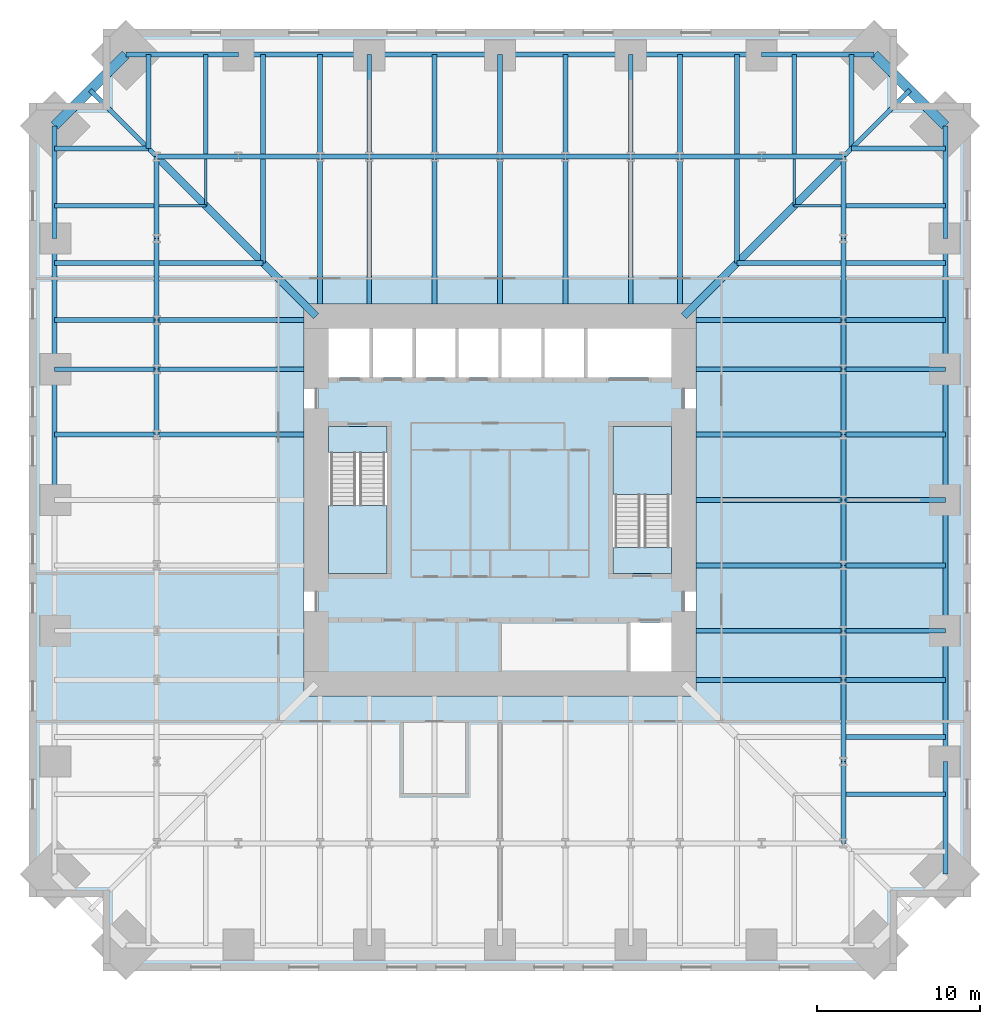
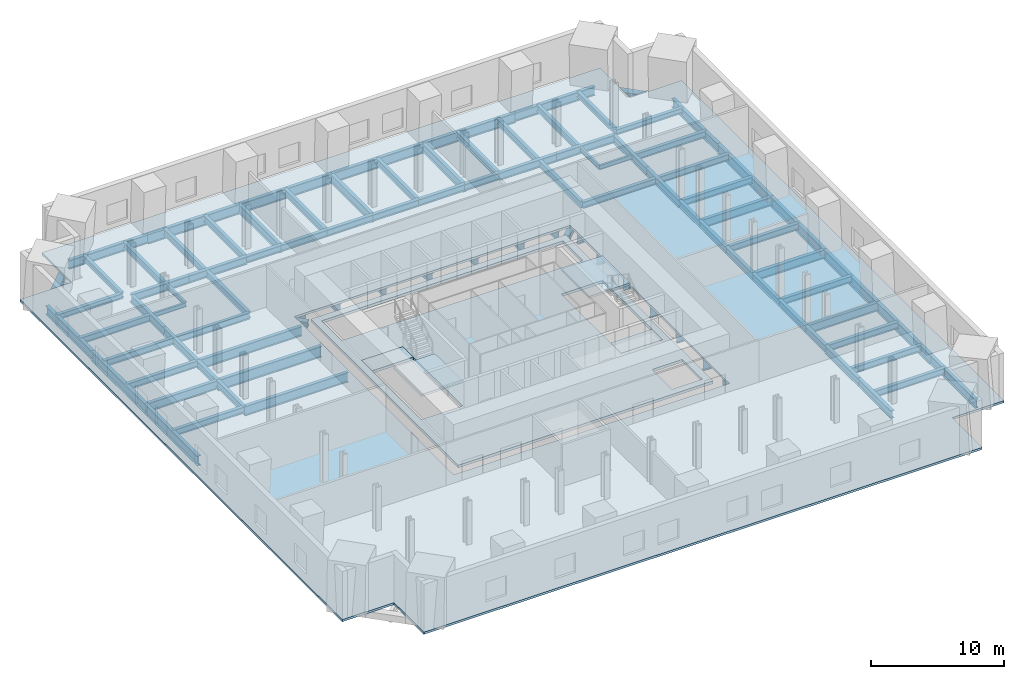
# One storey, part 2 of 8: 101 beams, 6 slabs, 2 elements without a shape of their own.
"""IFC4 building model written with IfcOpenShell, lengths in metres."""

from ifc_helpers import new_model, si_unit, direction, frame, origin, origin_2d, place, context, subcontext, project, spatial, polyline, hollow_rectangle, i_section, outline, extrude, material, layer, layer_set, material_profile, profile_set, type_object, element, aggregate, save


model = new_model("IFC4")

# Units and contexts
model_context = context("Model", 3, precision=1e-05, world=origin(), true_north=direction((0.0, 1.0)))
body_context = subcontext(model_context, "Body", "Model", "MODEL_VIEW")
ifc_project = project(units=[si_unit("LENGTHUNIT", "METRE"), si_unit("AREAUNIT", "SQUARE_METRE"), si_unit("VOLUMEUNIT", "CUBIC_METRE"), si_unit("PLANEANGLEUNIT", "RADIAN"), si_unit("MASSUNIT", "GRAM", prefix="KILO")], contexts=[model_context])

# Site, building, storey
site_placement = place(None, origin())
site = spatial("IfcSite", under=ifc_project, at=site_placement, CompositionType="ELEMENT")
building_placement = place(site_placement, origin())
building = spatial("IfcBuilding", under=site, at=building_placement, Name="Peilmerk Tower", CompositionType="ELEMENT")
storey_placement = place(building_placement, frame((0.0, 0.0, 90.60009765625)))
storey = spatial("IfcBuildingStorey", under=building, at=storey_placement, Name="L17", CompositionType="ELEMENT", Elevation=90.60009765625)

# Beams
ifc_material_1 = material(Name="Steel S355", Category="steel")
ifc_material_profile_1 = material_profile(ifc_material_1, i_section(OverallWidth=0.302978515625, OverallDepth=0.81396484375, WebThickness=0.02099609375, FlangeThickness=0.0400390625, at=origin_2d()), Name="HEM 800")
ifc_profile_set_1 = profile_set([ifc_material_profile_1], Name="Steel S355")
beam_type_1 = type_object("IfcBeamType", Name="B15 HEM 800 edge beam", PredefinedType="SPANDREL", material=ifc_profile_set_1)
for number, where, z_axis, x_axis, name in (
    (1, (22.8935546875, 27.24365234375, -0.607177734375), (-1.0, 0.0, 0.0), (0.0, -1.0, 0.0), "Edge beam L17"),
    (2, (-16.0, 27.24365234375, -0.607177734375), (-1.0, 0.0, 0.0), (0.0, -1.0, 0.0), "Edge beam L17"),
    (3, (27.24365234375, -22.8935546875, -0.607177734375), (0.0, 1.0, 0.0), (-1.0, 0.0, 0.0), "Edge beam L17"),
    (4, (27.24365234375, 16.0, -0.607177734375), (0.0, 1.0, 0.0), (-1.0, 0.0, 0.0), "Edge beam L17"),
    (5, (-27.24365234375, 22.8935546875, -0.607177734375), (0.0, -1.0, 0.0), (1.0, 0.0, 0.0), "Edge beam L17"),
):
    element("IfcBeam", number, at=place(storey_placement, frame(where, z_axis=z_axis, x_axis=x_axis)), inside=storey, type_object=beam_type_1, Name=name, PredefinedType="SPANDREL", context=body_context, shape_type="SweptSolid", body=[
        extrude(i_section(OverallWidth=0.302978515625, OverallDepth=0.81396484375, WebThickness=0.02099609375, FlangeThickness=0.0400390625, at=origin_2d()), origin(), (0.0, 0.0, 1.0), 6.8935546875),
    ])
ifc_material_profile_2 = material_profile(ifc_material_1, i_section(OverallWidth=0.303955078125, OverallDepth=0.716064453125, WebThickness=0.02099609375, FlangeThickness=0.0400390625, at=origin_2d()), Name="HEM 700")
ifc_profile_set_2 = profile_set([ifc_material_profile_2], Name="Steel S355")
beam_type_2 = type_object("IfcBeamType", Name="B19 HEM 700 ring girder", PredefinedType="BEAM", material=ifc_profile_set_2)
for number, where, z_axis, x_axis, name in (
    (6, (21.0, 21.0, -0.55810546875), (-1.0, 0.0, 0.0), (0.0, -1.0, 0.0), "Ring girder L17"),
    (7, (16.0, 21.0, -0.55810546875), (-1.0, 0.0, 0.0), (0.0, -1.0, 0.0), "Ring girder L17"),
    (8, (-11.0, 21.0, -0.55810546875), (-1.0, 0.0, 0.0), (0.0, -1.0, 0.0), "Ring girder L17"),
    (9, (-16.0, 21.0, -0.55810546875), (-1.0, 0.0, 0.0), (0.0, -1.0, 0.0), "Ring girder L17"),
    (10, (21.0, -21.0, -0.55810546875), (0.0, 1.0, 0.0), (-1.0, 0.0, 0.0), "Ring girder L17"),
    (11, (21.0, -16.0, -0.55810546875), (0.0, 1.0, 0.0), (-1.0, 0.0, 0.0), "Ring girder L17"),
    (12, (21.0, 11.0, -0.55810546875), (0.0, 1.0, 0.0), (-1.0, 0.0, 0.0), "Ring girder L17"),
    (13, (21.0, 16.0, -0.55810546875), (0.0, 1.0, 0.0), (-1.0, 0.0, 0.0), "Ring girder L17"),
    (14, (-21.0, 21.0, -0.55810546875), (0.0, -1.0, 0.0), (1.0, 0.0, 0.0), "Ring girder L17"),
    (15, (-21.0, 16.0, -0.55810546875), (0.0, -1.0, 0.0), (1.0, 0.0, 0.0), "Ring girder L17"),
):
    element("IfcBeam", number, at=place(storey_placement, frame(where, z_axis=z_axis, x_axis=x_axis)), inside=storey, type_object=beam_type_2, Name=name, PredefinedType="BEAM", context=body_context, shape_type="SweptSolid", body=[
        extrude(i_section(OverallWidth=0.303955078125, OverallDepth=0.716064453125, WebThickness=0.02099609375, FlangeThickness=0.0400390625, at=origin_2d()), origin(), (0.0, 0.0, 1.0), 5.0),
    ])
ifc_material_profile_3 = material_profile(ifc_material_1, i_section(OverallWidth=0.302001953125, OverallDepth=0.909912109375, WebThickness=0.02099609375, FlangeThickness=0.0400390625, at=origin_2d()), Name="HEM 900")
ifc_profile_set_3 = profile_set([ifc_material_profile_3], Name="Steel S355")
beam_type_3 = type_object("IfcBeamType", Name="B2 HEM 900 edge beam", PredefinedType="SPANDREL", material=ifc_profile_set_3)
for number, where, z_axis, x_axis, name in (
    (16, (16.0, 27.24365234375, -0.655029296875), (-1.0, 0.0, 0.0), (0.0, -1.0, 0.0), "Edge beam L17"),
    (17, (8.0, 27.24365234375, -0.655029296875), (-1.0, 0.0, 0.0), (0.0, -1.0, 0.0), "Edge beam L17"),
    (18, (0.0, 27.24365234375, -0.655029296875), (-1.0, 0.0, 0.0), (0.0, -1.0, 0.0), "Edge beam L17"),
    (19, (-8.0, 27.24365234375, -0.655029296875), (-1.0, 0.0, 0.0), (0.0, -1.0, 0.0), "Edge beam L17"),
    (20, (27.24365234375, -16.0, -0.655029296875), (0.0, 1.0, 0.0), (-1.0, 0.0, 0.0), "Edge beam L17"),
    (21, (27.24365234375, -8.0, -0.655029296875), (0.0, 1.0, 0.0), (-1.0, 0.0, 0.0), "Edge beam L17"),
    (22, (27.24365234375, 0.0, -0.655029296875), (0.0, 1.0, 0.0), (-1.0, 0.0, 0.0), "Edge beam L17"),
    (23, (27.24365234375, 8.0, -0.655029296875), (0.0, 1.0, 0.0), (-1.0, 0.0, 0.0), "Edge beam L17"),
    (24, (-27.24365234375, 16.0, -0.655029296875), (0.0, -1.0, 0.0), (1.0, 0.0, 0.0), "Edge beam L17"),
    (25, (-27.24365234375, 8.0, -0.655029296875), (0.0, -1.0, 0.0), (1.0, 0.0, 0.0), "Edge beam L17"),
):
    element("IfcBeam", number, at=place(storey_placement, frame(where, z_axis=z_axis, x_axis=x_axis)), inside=storey, type_object=beam_type_3, Name=name, PredefinedType="SPANDREL", context=body_context, shape_type="SweptSolid", body=[
        extrude(i_section(OverallWidth=0.302001953125, OverallDepth=0.909912109375, WebThickness=0.02099609375, FlangeThickness=0.0400390625, at=origin_2d()), origin(), (0.0, 0.0, 1.0), 8.0),
    ])
ifc_material_2 = material(Name="Steel S460", Category="steel")
ifc_material_profile_4 = material_profile(ifc_material_2, hollow_rectangle(XDim=0.60009765625, YDim=0.60009765625, WallThickness=0.06005859375, at=origin_2d()), Name="BOX 600x600x60")
ifc_profile_set_4 = profile_set([ifc_material_profile_4], Name="Steel S460")
beam_type_4 = type_object("IfcBeamType", Name="B20 BOX 600x600x60 notch beam", PredefinedType="SPANDREL", material=ifc_profile_set_4)
for number, where, z_axis, x_axis, name in (
    (26, (22.8935546875, 27.24365234375, -0.5), (0.707106781187, -0.707106781187, 0.0), (0.707106781187, 0.707106781187, 0.0), "Notch beam L17"),
    (27, (-27.24365234375, 22.8935546875, -0.5), (0.707106781187, 0.707106781187, 0.0), (-0.707106781187, 0.707106781187, 0.0), "Notch beam L17"),
):
    element("IfcBeam", number, at=place(storey_placement, frame(where, z_axis=z_axis, x_axis=x_axis)), inside=storey, type_object=beam_type_4, Name=name, PredefinedType="SPANDREL", context=body_context, shape_type="SweptSolid", body=[
        extrude(hollow_rectangle(XDim=0.60009765625, YDim=0.60009765625, WallThickness=0.06005859375, at=origin_2d()), origin(), (0.0, 0.0, 1.0), 6.15185546875),
    ])
ifc_material_profile_5 = material_profile(ifc_material_1, i_section(OverallWidth=0.302001953125, OverallDepth=1.008056640625, WebThickness=0.02099609375, FlangeThickness=0.0400390625, at=origin_2d()), Name="HEM 1000")
ifc_profile_set_5 = profile_set([ifc_material_profile_5], Name="Steel S355")
beam_type_5 = type_object("IfcBeamType", Name="B24 HEM 1000 floor girder", PredefinedType="BEAM", material=ifc_profile_set_5)
for number, where, z_axis, x_axis, name in (
    (28, (8.0, 12.0, -0.7041015625), (0.0, 1.0, 0.0), (-1.0, 0.0, 0.0), "Floor girder L17"),
    (29, (0.0, 12.0, -0.7041015625), (0.0, 1.0, 0.0), (-1.0, 0.0, 0.0), "Floor girder L17"),
    (30, (-8.0, 12.0, -0.7041015625), (0.0, 1.0, 0.0), (-1.0, 0.0, 0.0), "Floor girder L17"),
    (31, (12.0, -8.0, -0.7041015625), (1.0, 0.0, 0.0), (0.0, 1.0, 0.0), "Floor girder L17"),
    (32, (12.0, 0.0, -0.7041015625), (1.0, 0.0, 0.0), (0.0, 1.0, 0.0), "Floor girder L17"),
    (33, (12.0, 8.0, -0.7041015625), (1.0, 0.0, 0.0), (0.0, 1.0, 0.0), "Floor girder L17"),
    (34, (-12.0, 8.0, -0.7041015625), (-1.0, 0.0, 0.0), (0.0, -1.0, 0.0), "Floor girder L17"),
):
    element("IfcBeam", number, at=place(storey_placement, frame(where, z_axis=z_axis, x_axis=x_axis)), inside=storey, type_object=beam_type_5, Name=name, PredefinedType="BEAM", context=body_context, shape_type="SweptSolid", body=[
        extrude(i_section(OverallWidth=0.302001953125, OverallDepth=1.008056640625, WebThickness=0.02099609375, FlangeThickness=0.0400390625, at=origin_2d()), origin(), (0.0, 0.0, 1.0), 9.0),
    ])
ifc_material_profile_6 = material_profile(ifc_material_1, i_section(OverallWidth=0.300048828125, OverallDepth=0.590087890625, WebThickness=0.012939453125, FlangeThickness=0.02490234375, at=origin_2d()), Name="HEA 600")
ifc_profile_set_6 = profile_set([ifc_material_profile_6], Name="Steel S355")
beam_type_6 = type_object("IfcBeamType", Name="B27 HEA 600 floor beam", PredefinedType="BEAM", material=ifc_profile_set_6)
for number, where, z_axis, x_axis, name in (
    (35, (11.0, 21.0, -0.4951171875), (0.0, 1.0, 0.0), (-1.0, 0.0, 0.0), "Floor beam L17"),
    (36, (4.0, 21.0, -0.4951171875), (0.0, 1.0, 0.0), (-1.0, 0.0, 0.0), "Floor beam L17"),
    (37, (-4.0, 21.0, -0.4951171875), (0.0, 1.0, 0.0), (-1.0, 0.0, 0.0), "Floor beam L17"),
    (38, (-11.0, 21.0, -0.4951171875), (0.0, 1.0, 0.0), (-1.0, 0.0, 0.0), "Floor beam L17"),
    (39, (21.0, -11.0, -0.4951171875), (1.0, 0.0, 0.0), (0.0, 1.0, 0.0), "Floor beam L17"),
    (40, (21.0, -4.0, -0.4951171875), (1.0, 0.0, 0.0), (0.0, 1.0, 0.0), "Floor beam L17"),
    (41, (21.0, 4.0, -0.4951171875), (1.0, 0.0, 0.0), (0.0, 1.0, 0.0), "Floor beam L17"),
    (42, (21.0, 11.0, -0.4951171875), (1.0, 0.0, 0.0), (0.0, 1.0, 0.0), "Floor beam L17"),
    (43, (-21.0, 11.0, -0.4951171875), (-1.0, 0.0, 0.0), (0.0, -1.0, 0.0), "Floor beam L17"),
    (44, (-21.0, 4.0, -0.4951171875), (-1.0, 0.0, 0.0), (0.0, -1.0, 0.0), "Floor beam L17"),
):
    element("IfcBeam", number, at=place(storey_placement, frame(where, z_axis=z_axis, x_axis=x_axis)), inside=storey, type_object=beam_type_6, Name=name, PredefinedType="BEAM", context=body_context, shape_type="SweptSolid", body=[
        extrude(i_section(OverallWidth=0.300048828125, OverallDepth=0.590087890625, WebThickness=0.012939453125, FlangeThickness=0.02490234375, at=origin_2d()), origin(), (0.0, 0.0, 1.0), 6.24365234375),
    ])
beam_1_placement = place(storey_placement, frame((14.5, 14.5, -0.4951171875), z_axis=(0.0, 1.0, 0.0), x_axis=(-1.0, 0.0, 0.0)))
element("IfcBeam", 45, at=beam_1_placement, inside=storey, type_object=beam_type_6, Name="Floor beam L17", PredefinedType="BEAM", context=body_context, shape_type="SweptSolid", body=[
    extrude(i_section(OverallWidth=0.300048828125, OverallDepth=0.590087890625, WebThickness=0.012939453125, FlangeThickness=0.02490234375, at=origin_2d()), origin(), (0.0, 0.0, 1.0), 6.347900390625),
])
beam_2_placement = place(storey_placement, frame((14.5, 21.152099609375, -0.4951171875), z_axis=(0.0, 1.0, 0.0), x_axis=(-1.0, 0.0, 0.0)))
element("IfcBeam", 46, at=beam_2_placement, inside=storey, type_object=beam_type_6, Name="Floor beam L17", PredefinedType="BEAM", context=body_context, shape_type="SweptSolid", body=[
    extrude(i_section(OverallWidth=0.300048828125, OverallDepth=0.590087890625, WebThickness=0.012939453125, FlangeThickness=0.02490234375, at=origin_2d()), origin(), (0.0, 0.0, 1.0), 6.091552734375),
])
beam_3_placement = place(storey_placement, frame((14.5, 14.5, -0.4951171875), z_axis=(1.0, 0.0, 0.0), x_axis=(0.0, 1.0, 0.0)))
element("IfcBeam", 47, at=beam_3_placement, inside=storey, type_object=beam_type_6, Name="Floor beam L17", PredefinedType="BEAM", context=body_context, shape_type="SweptSolid", body=[
    extrude(i_section(OverallWidth=0.300048828125, OverallDepth=0.590087890625, WebThickness=0.012939453125, FlangeThickness=0.02490234375, at=origin_2d()), origin(), (0.0, 0.0, 1.0), 6.347900390625),
])
for number, where, z_axis, x_axis, name in (
    (48, (21.152099609375, 14.5, -0.4951171875), (1.0, 0.0, 0.0), (0.0, 1.0, 0.0), "Floor beam L17"),
    (49, (18.0, 21.152099609375, -0.4951171875), (0.0, 1.0, 0.0), (-1.0, 0.0, 0.0), "Floor beam L17"),
    (50, (21.152099609375, 18.0, -0.4951171875), (1.0, 0.0, 0.0), (0.0, 1.0, 0.0), "Floor beam L17"),
    (51, (21.152099609375, -14.5, -0.4951171875), (1.0, 0.0, 0.0), (0.0, 1.0, 0.0), "Floor beam L17"),
    (52, (21.152099609375, -18.0, -0.4951171875), (1.0, 0.0, 0.0), (0.0, 1.0, 0.0), "Floor beam L17"),
):
    element("IfcBeam", number, at=place(storey_placement, frame(where, z_axis=z_axis, x_axis=x_axis)), inside=storey, type_object=beam_type_6, Name=name, PredefinedType="BEAM", context=body_context, shape_type="SweptSolid", body=[
        extrude(i_section(OverallWidth=0.300048828125, OverallDepth=0.590087890625, WebThickness=0.012939453125, FlangeThickness=0.02490234375, at=origin_2d()), origin(), (0.0, 0.0, 1.0), 6.091552734375),
    ])
beam_4_placement = place(storey_placement, frame((-14.5, 14.5, -0.4951171875), z_axis=(0.0, 1.0, 0.0), x_axis=(-1.0, 0.0, 0.0)))
element("IfcBeam", 53, at=beam_4_placement, inside=storey, type_object=beam_type_6, Name="Floor beam L17", PredefinedType="BEAM", context=body_context, shape_type="SweptSolid", body=[
    extrude(i_section(OverallWidth=0.300048828125, OverallDepth=0.590087890625, WebThickness=0.012939453125, FlangeThickness=0.02490234375, at=origin_2d()), origin(), (0.0, 0.0, 1.0), 6.347900390625),
])
beam_5_placement = place(storey_placement, frame((-14.5, 21.152099609375, -0.4951171875), z_axis=(0.0, 1.0, 0.0), x_axis=(-1.0, 0.0, 0.0)))
element("IfcBeam", 54, at=beam_5_placement, inside=storey, type_object=beam_type_6, Name="Floor beam L17", PredefinedType="BEAM", context=body_context, shape_type="SweptSolid", body=[
    extrude(i_section(OverallWidth=0.300048828125, OverallDepth=0.590087890625, WebThickness=0.012939453125, FlangeThickness=0.02490234375, at=origin_2d()), origin(), (0.0, 0.0, 1.0), 6.091552734375),
])
beam_6_placement = place(storey_placement, frame((-14.5, 14.5, -0.4951171875), z_axis=(-1.0, 0.0, 0.0), x_axis=(0.0, -1.0, 0.0)))
element("IfcBeam", 55, at=beam_6_placement, inside=storey, type_object=beam_type_6, Name="Floor beam L17", PredefinedType="BEAM", context=body_context, shape_type="SweptSolid", body=[
    extrude(i_section(OverallWidth=0.300048828125, OverallDepth=0.590087890625, WebThickness=0.012939453125, FlangeThickness=0.02490234375, at=origin_2d()), origin(), (0.0, 0.0, 1.0), 6.347900390625),
])
for number, where, z_axis, x_axis, name in (
    (56, (-21.152099609375, 14.5, -0.4951171875), (-1.0, 0.0, 0.0), (0.0, -1.0, 0.0), "Floor beam L17"),
    (57, (-18.0, 21.152099609375, -0.4951171875), (0.0, 1.0, 0.0), (-1.0, 0.0, 0.0), "Floor beam L17"),
    (58, (-21.152099609375, 18.0, -0.4951171875), (-1.0, 0.0, 0.0), (0.0, -1.0, 0.0), "Floor beam L17"),
):
    element("IfcBeam", number, at=place(storey_placement, frame(where, z_axis=z_axis, x_axis=x_axis)), inside=storey, type_object=beam_type_6, Name=name, PredefinedType="BEAM", context=body_context, shape_type="SweptSolid", body=[
        extrude(i_section(OverallWidth=0.300048828125, OverallDepth=0.590087890625, WebThickness=0.012939453125, FlangeThickness=0.02490234375, at=origin_2d()), origin(), (0.0, 0.0, 1.0), 6.091552734375),
    ])
ifc_material_profile_7 = material_profile(ifc_material_1, i_section(OverallWidth=0.179931640625, OverallDepth=0.39990234375, WebThickness=0.008544921875, FlangeThickness=0.013427734375, at=origin_2d()), Name="IPE 400")
ifc_profile_set_7 = profile_set([ifc_material_profile_7], Name="Steel S355")
beam_type_7 = type_object("IfcBeamType", Name="B28 IPE 400 floor beam", PredefinedType="BEAM", material=ifc_profile_set_7)
for number, where, z_axis, x_axis, name in (
    (59, (18.0, 18.0, -0.400146484375), (0.0, 1.0, 0.0), (-1.0, 0.0, 0.0), "Floor beam L17"),
    (60, (18.0, 18.0, -0.400146484375), (1.0, 0.0, 0.0), (0.0, 1.0, 0.0), "Floor beam L17"),
    (61, (-18.0, 18.0, -0.400146484375), (0.0, 1.0, 0.0), (-1.0, 0.0, 0.0), "Floor beam L17"),
    (62, (-18.0, 18.0, -0.400146484375), (-1.0, 0.0, 0.0), (0.0, -1.0, 0.0), "Floor beam L17"),
):
    element("IfcBeam", number, at=place(storey_placement, frame(where, z_axis=z_axis, x_axis=x_axis)), inside=storey, type_object=beam_type_7, Name=name, PredefinedType="BEAM", context=body_context, shape_type="SweptSolid", body=[
        extrude(i_section(OverallWidth=0.179931640625, OverallDepth=0.39990234375, WebThickness=0.008544921875, FlangeThickness=0.013427734375, at=origin_2d()), origin(), (0.0, 0.0, 1.0), 2.847900390625),
    ])
ifc_material_profile_8 = material_profile(ifc_material_1, i_section(OverallWidth=0.300048828125, OverallDepth=0.489990234375, WebThickness=0.011962890625, FlangeThickness=0.02294921875, at=origin_2d()), Name="HEA 500")
ifc_profile_set_8 = profile_set([ifc_material_profile_8], Name="Steel S355")
beam_type_8 = type_object("IfcBeamType", Name="B29 HEA 500 floor beam", PredefinedType="BEAM", material=ifc_profile_set_8)
for number, where, z_axis, x_axis, name in (
    (63, (21.5, 21.5, -0.445068359375), (0.0, 1.0, 0.0), (-1.0, 0.0, 0.0), "Floor beam L17"),
    (64, (21.5, 21.5, -0.445068359375), (1.0, 0.0, 0.0), (0.0, 1.0, 0.0), "Floor beam L17"),
    (65, (-21.5, 21.5, -0.445068359375), (0.0, 1.0, 0.0), (-1.0, 0.0, 0.0), "Floor beam L17"),
    (66, (-21.5, 21.5, -0.445068359375), (-1.0, 0.0, 0.0), (0.0, -1.0, 0.0), "Floor beam L17"),
):
    element("IfcBeam", number, at=place(storey_placement, frame(where, z_axis=z_axis, x_axis=x_axis)), inside=storey, type_object=beam_type_8, Name=name, PredefinedType="BEAM", context=body_context, shape_type="SweptSolid", body=[
        extrude(i_section(OverallWidth=0.300048828125, OverallDepth=0.489990234375, WebThickness=0.011962890625, FlangeThickness=0.02294921875, at=origin_2d()), origin(), (0.0, 0.0, 1.0), 5.74365234375),
    ])
ifc_material_profile_9 = material_profile(ifc_material_1, i_section(OverallWidth=0.300048828125, OverallDepth=0.7900390625, WebThickness=0.014892578125, FlangeThickness=0.028076171875, at=origin_2d()), Name="HEA 800")
ifc_profile_set_9 = profile_set([ifc_material_profile_9], Name="Steel S355")
beam_type_9 = type_object("IfcBeamType", Name="B3 HEA 800 floor beam", PredefinedType="BEAM", material=ifc_profile_set_9)
for number, where, z_axis, x_axis, name in (
    (67, (8.0, 21.0, -0.59521484375), (0.0, 1.0, 0.0), (-1.0, 0.0, 0.0), "Floor girder L17"),
    (68, (0.0, 21.0, -0.59521484375), (0.0, 1.0, 0.0), (-1.0, 0.0, 0.0), "Floor girder L17"),
    (69, (-8.0, 21.0, -0.59521484375), (0.0, 1.0, 0.0), (-1.0, 0.0, 0.0), "Floor girder L17"),
    (70, (21.0, -8.0, -0.59521484375), (1.0, 0.0, 0.0), (0.0, 1.0, 0.0), "Floor girder L17"),
    (71, (21.0, 0.0, -0.59521484375), (1.0, 0.0, 0.0), (0.0, 1.0, 0.0), "Floor girder L17"),
    (72, (21.0, 8.0, -0.59521484375), (1.0, 0.0, 0.0), (0.0, 1.0, 0.0), "Floor girder L17"),
    (73, (-21.0, 8.0, -0.59521484375), (-1.0, 0.0, 0.0), (0.0, -1.0, 0.0), "Floor girder L17"),
):
    element("IfcBeam", number, at=place(storey_placement, frame(where, z_axis=z_axis, x_axis=x_axis)), inside=storey, type_object=beam_type_9, Name=name, PredefinedType="BEAM", context=body_context, shape_type="SweptSolid", body=[
        extrude(i_section(OverallWidth=0.300048828125, OverallDepth=0.7900390625, WebThickness=0.014892578125, FlangeThickness=0.028076171875, at=origin_2d()), origin(), (0.0, 0.0, 1.0), 6.24365234375),
    ])
ifc_material_profile_10 = material_profile(ifc_material_1, i_section(OverallWidth=0.300048828125, OverallDepth=0.889892578125, WebThickness=0.01611328125, FlangeThickness=0.030029296875, at=origin_2d()), Name="HEA 900")
ifc_profile_set_10 = profile_set([ifc_material_profile_10], Name="Steel S355")
beam_type_10 = type_object("IfcBeamType", Name="B4 HEA 900 floor beam", PredefinedType="BEAM", material=ifc_profile_set_10)
for number, where, z_axis, x_axis, name in (
    (74, (11.0, 12.0, -0.64501953125), (0.0, 1.0, 0.0), (-1.0, 0.0, 0.0), "Floor beam L17"),
    (75, (4.0, 12.0, -0.64501953125), (0.0, 1.0, 0.0), (-1.0, 0.0, 0.0), "Floor beam L17"),
    (76, (-4.0, 12.0, -0.64501953125), (0.0, 1.0, 0.0), (-1.0, 0.0, 0.0), "Floor beam L17"),
    (77, (-11.0, 12.0, -0.64501953125), (0.0, 1.0, 0.0), (-1.0, 0.0, 0.0), "Floor beam L17"),
    (78, (12.0, -11.0, -0.64501953125), (1.0, 0.0, 0.0), (0.0, 1.0, 0.0), "Floor beam L17"),
    (79, (12.0, -4.0, -0.64501953125), (1.0, 0.0, 0.0), (0.0, 1.0, 0.0), "Floor beam L17"),
    (80, (12.0, 4.0, -0.64501953125), (1.0, 0.0, 0.0), (0.0, 1.0, 0.0), "Floor beam L17"),
    (81, (12.0, 11.0, -0.64501953125), (1.0, 0.0, 0.0), (0.0, 1.0, 0.0), "Floor beam L17"),
    (82, (-12.0, 11.0, -0.64501953125), (-1.0, 0.0, 0.0), (0.0, -1.0, 0.0), "Floor beam L17"),
    (83, (-12.0, 4.0, -0.64501953125), (-1.0, 0.0, 0.0), (0.0, -1.0, 0.0), "Floor beam L17"),
):
    element("IfcBeam", number, at=place(storey_placement, frame(where, z_axis=z_axis, x_axis=x_axis)), inside=storey, type_object=beam_type_10, Name=name, PredefinedType="BEAM", context=body_context, shape_type="SweptSolid", body=[
        extrude(i_section(OverallWidth=0.300048828125, OverallDepth=0.889892578125, WebThickness=0.01611328125, FlangeThickness=0.030029296875, at=origin_2d()), origin(), (0.0, 0.0, 1.0), 9.0),
    ])
for number, where, z_axis, x_axis, name in (
    (84, (21.0, 21.0, -0.64501953125), (0.707106781187, 0.707106781187, 0.0), (-0.707106781187, 0.707106781187, 0.0), "Corner girder L17"),
    (85, (-21.0, 21.0, -0.64501953125), (-0.707106781187, 0.707106781187, 0.0), (-0.707106781187, -0.707106781187, 0.0), "Corner girder L17"),
):
    element("IfcBeam", number, at=place(storey_placement, frame(where, z_axis=z_axis, x_axis=x_axis)), inside=storey, type_object=beam_type_10, Name=name, PredefinedType="BEAM", context=body_context, shape_type="SweptSolid", body=[
        extrude(i_section(OverallWidth=0.300048828125, OverallDepth=0.889892578125, WebThickness=0.01611328125, FlangeThickness=0.030029296875, at=origin_2d()), origin(), (0.0, 0.0, 1.0), 5.75390625),
    ])
ifc_material_profile_11 = material_profile(ifc_material_1, i_section(OverallWidth=0.304931640625, OverallDepth=0.6201171875, WebThickness=0.02099609375, FlangeThickness=0.0400390625, at=origin_2d()), Name="HEM 600")
ifc_profile_set_11 = profile_set([ifc_material_profile_11], Name="Steel S355")
beam_type_11 = type_object("IfcBeamType", Name="B6 HEM 600 ring girder", PredefinedType="BEAM", material=ifc_profile_set_11)
beam_7_placement = place(storey_placement, frame((11.0, 21.0, -0.510009765625), z_axis=(-1.0, 0.0, 0.0), x_axis=(0.0, -1.0, 0.0)))
element("IfcBeam", 86, at=beam_7_placement, inside=storey, type_object=beam_type_11, Name="Ring girder L17", PredefinedType="BEAM", context=body_context, shape_type="SweptSolid", body=[
    extrude(i_section(OverallWidth=0.304931640625, OverallDepth=0.6201171875, WebThickness=0.02099609375, FlangeThickness=0.0400390625, at=origin_2d()), origin(), (0.0, 0.0, 1.0), 3.0),
])
for number, where, z_axis, x_axis, name in (
    (87, (8.0, 21.0, -0.510009765625), (-1.0, 0.0, 0.0), (0.0, -1.0, 0.0), "Ring girder L17"),
    (88, (4.0, 21.0, -0.510009765625), (-1.0, 0.0, 0.0), (0.0, -1.0, 0.0), "Ring girder L17"),
    (89, (0.0, 21.0, -0.510009765625), (-1.0, 0.0, 0.0), (0.0, -1.0, 0.0), "Ring girder L17"),
    (90, (-4.0, 21.0, -0.510009765625), (-1.0, 0.0, 0.0), (0.0, -1.0, 0.0), "Ring girder L17"),
):
    element("IfcBeam", number, at=place(storey_placement, frame(where, z_axis=z_axis, x_axis=x_axis)), inside=storey, type_object=beam_type_11, Name=name, PredefinedType="BEAM", context=body_context, shape_type="SweptSolid", body=[
        extrude(i_section(OverallWidth=0.304931640625, OverallDepth=0.6201171875, WebThickness=0.02099609375, FlangeThickness=0.0400390625, at=origin_2d()), origin(), (0.0, 0.0, 1.0), 4.0),
    ])
for number, where, z_axis, x_axis, name in (
    (91, (-8.0, 21.0, -0.510009765625), (-1.0, 0.0, 0.0), (0.0, -1.0, 0.0), "Ring girder L17"),
    (92, (21.0, -11.0, -0.510009765625), (0.0, 1.0, 0.0), (-1.0, 0.0, 0.0), "Ring girder L17"),
):
    element("IfcBeam", number, at=place(storey_placement, frame(where, z_axis=z_axis, x_axis=x_axis)), inside=storey, type_object=beam_type_11, Name=name, PredefinedType="BEAM", context=body_context, shape_type="SweptSolid", body=[
        extrude(i_section(OverallWidth=0.304931640625, OverallDepth=0.6201171875, WebThickness=0.02099609375, FlangeThickness=0.0400390625, at=origin_2d()), origin(), (0.0, 0.0, 1.0), 3.0),
    ])
for number, where, z_axis, x_axis, name in (
    (93, (21.0, -8.0, -0.510009765625), (0.0, 1.0, 0.0), (-1.0, 0.0, 0.0), "Ring girder L17"),
    (94, (21.0, -4.0, -0.510009765625), (0.0, 1.0, 0.0), (-1.0, 0.0, 0.0), "Ring girder L17"),
    (95, (21.0, 0.0, -0.510009765625), (0.0, 1.0, 0.0), (-1.0, 0.0, 0.0), "Ring girder L17"),
    (96, (21.0, 4.0, -0.510009765625), (0.0, 1.0, 0.0), (-1.0, 0.0, 0.0), "Ring girder L17"),
):
    element("IfcBeam", number, at=place(storey_placement, frame(where, z_axis=z_axis, x_axis=x_axis)), inside=storey, type_object=beam_type_11, Name=name, PredefinedType="BEAM", context=body_context, shape_type="SweptSolid", body=[
        extrude(i_section(OverallWidth=0.304931640625, OverallDepth=0.6201171875, WebThickness=0.02099609375, FlangeThickness=0.0400390625, at=origin_2d()), origin(), (0.0, 0.0, 1.0), 4.0),
    ])
for number, where, z_axis, x_axis, name in (
    (97, (21.0, 8.0, -0.510009765625), (0.0, 1.0, 0.0), (-1.0, 0.0, 0.0), "Ring girder L17"),
    (98, (-21.0, 11.0, -0.510009765625), (0.0, -1.0, 0.0), (1.0, 0.0, 0.0), "Ring girder L17"),
):
    element("IfcBeam", number, at=place(storey_placement, frame(where, z_axis=z_axis, x_axis=x_axis)), inside=storey, type_object=beam_type_11, Name=name, PredefinedType="BEAM", context=body_context, shape_type="SweptSolid", body=[
        extrude(i_section(OverallWidth=0.304931640625, OverallDepth=0.6201171875, WebThickness=0.02099609375, FlangeThickness=0.0400390625, at=origin_2d()), origin(), (0.0, 0.0, 1.0), 3.0),
    ])
beam_8_placement = place(storey_placement, frame((-21.0, 8.0, -0.510009765625), z_axis=(0.0, -1.0, 0.0), x_axis=(1.0, 0.0, 0.0)))
element("IfcBeam", 99, at=beam_8_placement, inside=storey, type_object=beam_type_11, Name="Ring girder L17", PredefinedType="BEAM", context=body_context, shape_type="SweptSolid", body=[
    extrude(i_section(OverallWidth=0.304931640625, OverallDepth=0.6201171875, WebThickness=0.02099609375, FlangeThickness=0.0400390625, at=origin_2d()), origin(), (0.0, 0.0, 1.0), 4.0),
])
ifc_material_profile_12 = material_profile(ifc_material_2, i_section(OverallWidth=0.4541015625, OverallDepth=0.569091796875, WebThickness=0.077880859375, FlangeThickness=0.125, at=origin_2d()), Name="HD 400x1086")
ifc_profile_set_12 = profile_set([ifc_material_profile_12], Name="Steel S460")
beam_type_12 = type_object("IfcBeamType", Name="B9 HD 400x1086 corner girder", PredefinedType="BEAM", material=ifc_profile_set_12)
for number, where, z_axis, x_axis, name in (
    (100, (11.25, 11.25, -0.484619140625), (0.707106781187, 0.707106781187, 0.0), (-0.707106781187, 0.707106781187, 0.0), "Corner girder L17"),
    (101, (-11.25, 11.25, -0.484619140625), (-0.707106781187, 0.707106781187, 0.0), (-0.707106781187, -0.707106781187, 0.0), "Corner girder L17"),
):
    element("IfcBeam", number, at=place(storey_placement, frame(where, z_axis=z_axis, x_axis=x_axis)), inside=storey, type_object=beam_type_12, Name=name, PredefinedType="BEAM", context=body_context, shape_type="SweptSolid", body=[
        extrude(i_section(OverallWidth=0.4541015625, OverallDepth=0.569091796875, WebThickness=0.077880859375, FlangeThickness=0.125, at=origin_2d()), origin(), (0.0, 0.0, 1.0), 13.78857421875),
    ])

# Slabs
ifc_material_3 = material(Name="Concrete C55/67", Category="concrete")
ifc_layer_1 = layer(ifc_material_3, 0.25)
ifc_layer_set_1 = layer_set([ifc_layer_1], Name="Concrete C55/67")
slab_type_1 = type_object("IfcSlabType", Name="CS250 250 core floor slab", PredefinedType="FLOOR", material=ifc_layer_set_1)
slab_1_placement = place(storey_placement, frame((0.0, 0.0, -0.25)))
element("IfcSlab", 102, at=slab_1_placement, inside=storey, type_object=slab_type_1, Name="Core slab L17", PredefinedType="FLOOR", context=body_context, shape_type="SweptSolid", body=[
    extrude(outline(polyline([(-11.10009765625, 11.10009765625), (-11.10009765625, -11.10009765625), (11.10009765625, -11.10009765625), (11.10009765625, 11.10009765625), (-11.10009765625, 11.10009765625)]), holes=[polyline([(10.5, 7.5), (-10.5, 7.5), (-10.5, 10.5), (10.5, 10.5), (10.5, 7.5)]), polyline([(7.875, -10.5), (7.875, -7.5), (10.5, -7.5), (10.5, -10.5), (7.875, -10.5)]), polyline([(-10.5, 4.5), (-6.89990234375, 4.5), (-6.89990234375, -4.5), (-10.5, -4.5), (-10.5, 4.5)]), polyline([(10.5, 4.5), (10.5, -4.5), (6.89990234375, -4.5), (6.89990234375, 4.5), (10.5, 4.5)])]), origin(), (0.0, 0.0, 1.0), 0.25),
])
ifc_material_4 = material(Name="Concrete C35/45", Category="concrete")
ifc_layer_2 = layer(ifc_material_4, 0.199951171875)
ifc_layer_set_2 = layer_set([ifc_layer_2], Name="Concrete C35/45")
slab_type_2 = type_object("IfcSlabType", Name="FS200 200 composite floor slab", PredefinedType="FLOOR", material=ifc_layer_set_2)
slab_2_placement = place(storey_placement, frame((0.0, 0.0, -0.2001953125)))
element("IfcSlab", 103, at=slab_2_placement, inside=storey, type_object=slab_type_2, Name="Floor slab L17", PredefinedType="FLOOR", context=body_context, shape_type="SweptSolid", body=[
    extrude(outline(polyline([(-24.300048828125, -28.800048828125), (24.300048828125, -28.800048828125), (24.300048828125, -24.300048828125), (28.800048828125, -24.300048828125), (28.800048828125, 24.300048828125), (24.300048828125, 24.300048828125), (24.300048828125, 28.800048828125), (-24.300048828125, 28.800048828125), (-24.300048828125, 24.300048828125), (-28.800048828125, 24.300048828125), (-28.800048828125, -24.300048828125), (-24.300048828125, -24.300048828125), (-24.300048828125, -28.800048828125)]), holes=[polyline([(12.0, 12.0), (12.0, -12.0), (-12.0, -12.0), (-12.0, 12.0), (12.0, 12.0)])]), origin(), (0.0, 0.0, 1.0), 0.2001953125),
])

# Stair, slab
ifc_material_5 = material(Name="Precast concrete C45/55", Category="concrete")
stair_type_1 = type_object("IfcStairType", Name="ST1 26 risers of 176.9", PredefinedType="HALF_TURN_STAIR", material=ifc_material_5)
stair_1_placement = place(storey_placement, origin())
stair_1 = element("IfcStair", 104, at=stair_1_placement, inside=storey, type_object=stair_type_1, Name="Stair 1 L17 to L18", PredefinedType="HALF_TURN_STAIR")
ifc_layer_3 = layer(ifc_material_4, 0.199951171875)
ifc_layer_set_3 = layer_set([ifc_layer_3], Name="Concrete C35/45")
slab_type_3 = type_object("IfcSlabType", Name="SL1 200 concrete stair landing", PredefinedType="LANDING", material=ifc_layer_set_3)
slab_3_placement = place(storey_placement, frame((0.0, 0.0, 2.099853515625)))
slab_3 = element("IfcSlab", 105, at=slab_3_placement, type_object=slab_type_3, Name="ST1 landing 1", PredefinedType="LANDING", context=body_context, shape_type="SweptSolid", body=[
    extrude(outline(polyline([(-10.5, -4.5), (-6.89990234375, -4.5), (-6.89990234375, -0.340087890625), (-10.5, -0.340087890625), (-10.5, -4.5)])), origin(), (0.0, 0.0, 1.0), 0.199951171875),
])

stair_type_2 = type_object("IfcStairType", Name="ST2 26 risers of 176.9", PredefinedType="HALF_TURN_STAIR", material=ifc_material_5)
stair_2_placement = place(storey_placement, origin())
stair_2 = element("IfcStair", 106, at=stair_2_placement, inside=storey, type_object=stair_type_2, Name="Stair 2 L17 to L18", PredefinedType="HALF_TURN_STAIR")
slab_4_placement = place(storey_placement, frame((0.0, 0.0, 2.099853515625)))
slab_4 = element("IfcSlab", 107, at=slab_4_placement, type_object=slab_type_3, Name="ST2 landing 1", PredefinedType="LANDING", context=body_context, shape_type="SweptSolid", body=[
    extrude(outline(polyline([(6.89990234375, 0.340087890625), (10.5, 0.340087890625), (10.5, 4.5), (6.89990234375, 4.5), (6.89990234375, 0.340087890625)])), origin(), (0.0, 0.0, 1.0), 0.199951171875),
])

# Slab
ifc_layer_4 = layer(ifc_material_4, 0.25)
ifc_layer_set_4 = layer_set([ifc_layer_4], Name="Concrete C35/45")
slab_type_4 = type_object("IfcSlabType", Name="SL2 250 concrete floor landing", PredefinedType="LANDING", material=ifc_layer_set_4)
slab_5_placement = place(storey_placement, frame((0.0, 0.0, -0.25)))
slab_5 = element("IfcSlab", 108, at=slab_5_placement, type_object=slab_type_4, Name="ST1 floor landing", PredefinedType="LANDING", context=body_context, shape_type="SweptSolid", body=[
    extrude(outline(polyline([(-10.5, 2.89990234375), (-6.89990234375, 2.89990234375), (-6.89990234375, 4.5), (-10.5, 4.5), (-10.5, 2.89990234375)])), origin(), (0.0, 0.0, 1.0), 0.25),
])

aggregate(stair_1, [slab_3, slab_5])

slab_6_placement = place(storey_placement, frame((0.0, 0.0, -0.25)))
slab_6 = element("IfcSlab", 109, at=slab_6_placement, type_object=slab_type_4, Name="ST2 floor landing", PredefinedType="LANDING", context=body_context, shape_type="SweptSolid", body=[
    extrude(outline(polyline([(6.89990234375, -4.5), (10.5, -4.5), (10.5, -2.89990234375), (6.89990234375, -2.89990234375), (6.89990234375, -4.5)])), origin(), (0.0, 0.0, 1.0), 0.25),
])

aggregate(stair_2, [slab_4, slab_6])

save(model, "model.ifc")
